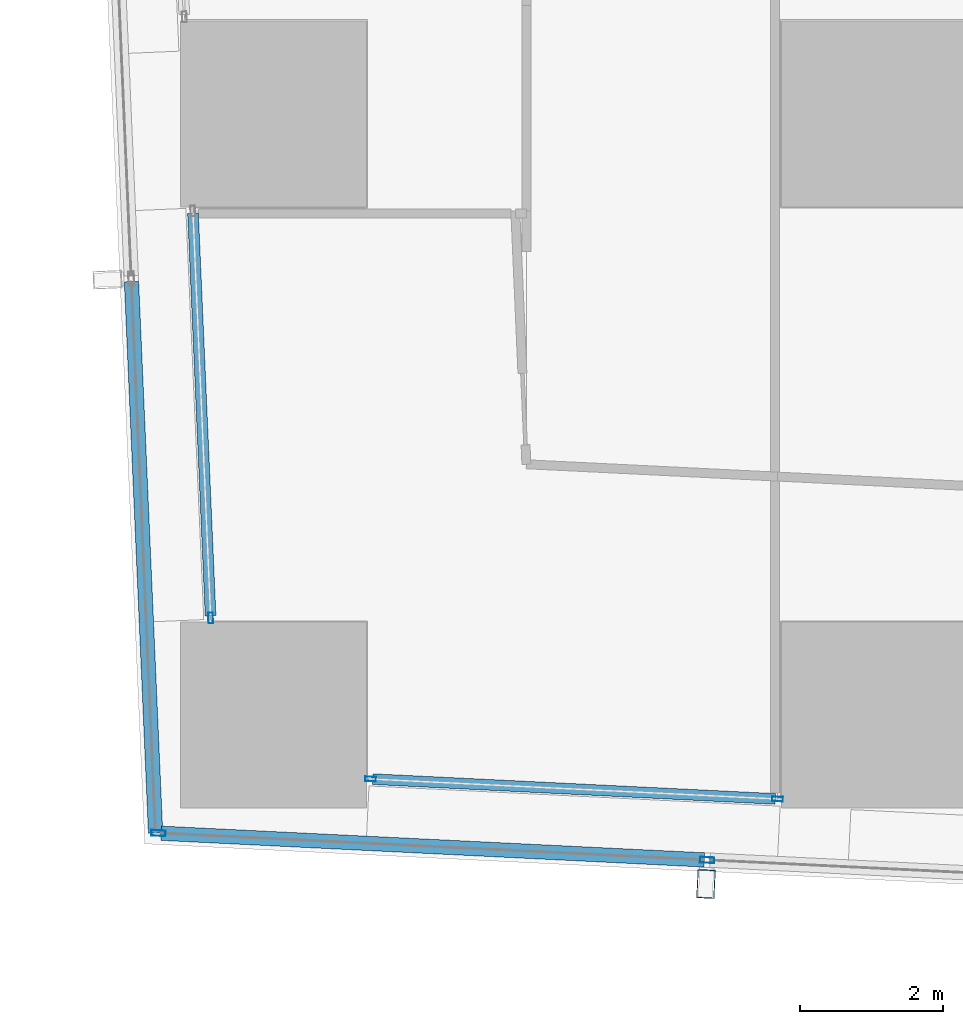
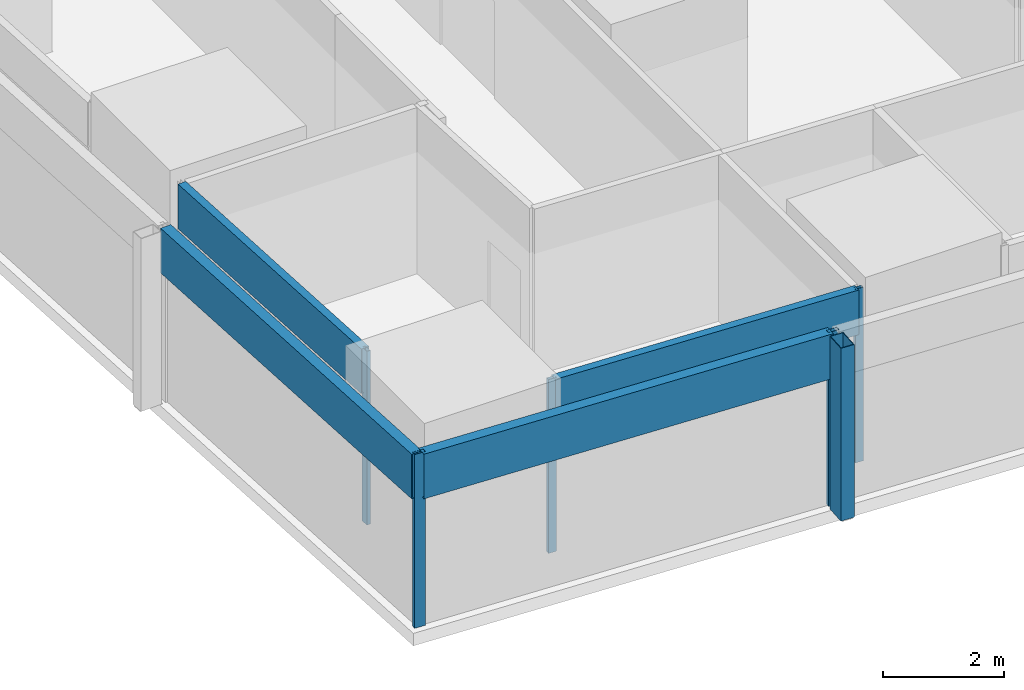
# One storey, part 2 of 46: 10 members, 4 elements without a shape of their own.
"""IFC4 building model written with IfcOpenShell, lengths in metres."""

from ifc_helpers import new_model, si_unit, direction, frame, origin, origin_2d, place, context, subcontext, project, spatial, hollow_rectangle, extrude, material, material_profile, profile_set, type_object, element, aggregate, save


model = new_model("IFC4")

# Units and contexts
model_context = context("Model", 3, precision=1e-05, world=origin(), true_north=direction((0.0, 1.0)))
body_context = subcontext(model_context, "Body", "Model", "MODEL_VIEW")
ifc_project = project(units=[si_unit("LENGTHUNIT", "METRE"), si_unit("AREAUNIT", "SQUARE_METRE"), si_unit("VOLUMEUNIT", "CUBIC_METRE"), si_unit("PLANEANGLEUNIT", "RADIAN"), si_unit("MASSUNIT", "GRAM", prefix="KILO")], contexts=[model_context])

# Site, building, storey
site_placement = place(None, origin())
site = spatial("IfcSite", under=ifc_project, at=site_placement, CompositionType="ELEMENT")
building_placement = place(site_placement, origin())
building = spatial("IfcBuilding", under=site, at=building_placement, Name="Rekha Terrace Tower", CompositionType="ELEMENT")
storey_placement = place(building_placement, frame((0.0, 0.0, 29.14990234375)))
storey = spatial("IfcBuildingStorey", under=building, at=storey_placement, Name="L06", CompositionType="ELEMENT", Elevation=29.14990234375)

# Curtain wall, member
ifc_material_1 = material(Name="Aluminium framing", Category="aluminium")
curtain_wall_type_1 = type_object("IfcCurtainWallType", Name="CW2 double skin outer glazing", PredefinedType="USERDEFINED", material=ifc_material_1)
curtain_wall_1_placement = place(storey_placement, origin())
curtain_wall_1 = element("IfcCurtainWall", 1, at=curtain_wall_1_placement, inside=storey, type_object=curtain_wall_type_1, Name="CW2 double skin outer glazing", ObjectType="DOUBLE SKIN OUTER GLAZING", PredefinedType="USERDEFINED")
ifc_material_2 = material(Name="Steel S355 with fluorocarbon finish", Category="steel")
ifc_material_profile_1 = material_profile(ifc_material_2, hollow_rectangle(XDim=0.25, YDim=0.39990234375, WallThickness=0.012451171875, at=origin_2d()), Name="RHS400x250x12.5")
ifc_profile_set_1 = profile_set([ifc_material_profile_1], Name="Steel S355 with fluorocarbon finish")
member_type_1 = type_object("IfcMemberType", Name="BL1 facade blade RHS 400 x 250", PredefinedType="USERDEFINED", material=ifc_profile_set_1)
member_1_placement = place(storey_placement, frame((14.443603515625, 6.03955078125, 0.02001953125), z_axis=(0.0, 0.0, 1.0), x_axis=(0.998796226835, -0.049051985279, 0.0)))
member_1 = element("IfcMember", 2, at=member_1_placement, type_object=member_type_1, Name="Facade blade", ObjectType="FACADE BLADE", PredefinedType="USERDEFINED", context=body_context, shape_type="SweptSolid", body=[
    extrude(hollow_rectangle(XDim=0.25, YDim=0.39990234375, WallThickness=0.012451171875, at=origin_2d()), origin(), (0.0, 0.0, 1.0), 3.47998046875),
])

# Curtain wall, members
curtain_wall_type_2 = type_object("IfcCurtainWallType", Name="CW1 double skin inner glazing", PredefinedType="USERDEFINED", material=ifc_material_1)
curtain_wall_2_placement = place(storey_placement, origin())
curtain_wall_2 = element("IfcCurtainWall", 3, at=curtain_wall_2_placement, inside=storey, type_object=curtain_wall_type_2, Name="CW1 double skin inner glazing", ObjectType="DOUBLE SKIN INNER GLAZING", PredefinedType="USERDEFINED")
ifc_material_3 = material(Name="Aluminium mullion section", Category="aluminium")
ifc_material_profile_2 = material_profile(ifc_material_3, hollow_rectangle(XDim=0.06494140625, YDim=0.14990234375, WallThickness=0.00390625, at=origin_2d()), Name="AL RHS 65x150")
ifc_profile_set_2 = profile_set([ifc_material_profile_2], Name="Aluminium mullion section")
member_type_2 = type_object("IfcMemberType", Name="CW1 mullion RHS 65 x 150", PredefinedType="MULLION", material=ifc_profile_set_2)
member_2_placement = place(storey_placement, frame((9.757080078125, 7.50634765625, 0.0), z_axis=(0.0, 0.0, 1.0), x_axis=(0.049051717711, 0.998796239976, 0.0)))
member_2 = element("IfcMember", 4, at=member_2_placement, type_object=member_type_2, Name="CW1 mullion 1", PredefinedType="MULLION", context=body_context, shape_type="SweptSolid", body=[
    extrude(hollow_rectangle(XDim=0.06494140625, YDim=0.14990234375, WallThickness=0.00390625, at=origin_2d()), origin(), (0.0, 0.0, 1.0), 3.5),
])
member_3_placement = place(storey_placement, frame((15.44287109375, 7.22705078125, 0.0), z_axis=(0.0, 0.0, 1.0), x_axis=(0.049051717711, 0.998796239976, 0.0)))
member_3 = element("IfcMember", 5, at=member_3_placement, type_object=member_type_2, Name="CW1 mullion 2", PredefinedType="MULLION", context=body_context, shape_type="SweptSolid", body=[
    extrude(hollow_rectangle(XDim=0.06494140625, YDim=0.14990234375, WallThickness=0.00390625, at=origin_2d()), origin(), (0.0, 0.0, 1.0), 3.5),
])

# Curtain wall, member
curtain_wall_3_placement = place(storey_placement, origin())
curtain_wall_3 = element("IfcCurtainWall", 6, at=curtain_wall_3_placement, inside=storey, type_object=curtain_wall_type_2, Name="CW1 double skin inner glazing", ObjectType="DOUBLE SKIN INNER GLAZING", PredefinedType="USERDEFINED")
member_4_placement = place(storey_placement, frame((7.52294921875, 9.756591796875, 0.0), z_axis=(0.0, 0.0, 1.0), x_axis=(0.999045462129, 0.043682543424, 0.0)))
member_4 = element("IfcMember", 7, at=member_4_placement, type_object=member_type_2, Name="CW1 mullion 2", PredefinedType="MULLION", context=body_context, shape_type="SweptSolid", body=[
    extrude(hollow_rectangle(XDim=0.06494140625, YDim=0.14990234375, WallThickness=0.00390625, at=origin_2d()), origin(), (0.0, 0.0, 1.0), 3.5),
])

# Member
ifc_material_4 = material(Name="Insulated aluminium spandrel box", Category="aluminium")
ifc_material_profile_3 = material_profile(ifc_material_4, hollow_rectangle(XDim=0.14990234375, YDim=0.89990234375, WallThickness=0.0029296875, at=origin_2d()), Name="AL SPANDREL BOX 150x900")
ifc_profile_set_3 = profile_set([ifc_material_profile_3], Name="Insulated aluminium spandrel box")
member_type_3 = type_object("IfcMemberType", Name="CW1 spandrel transom 150 x 900", PredefinedType="USERDEFINED", material=ifc_profile_set_3)
member_5_placement = place(storey_placement, frame((9.78955078125, 7.504638671875, 3.050048828125), z_axis=(0.998795557113, -0.049065620253, 0.0), x_axis=(0.049065620253, 0.998795557113, 0.0)))
member_5 = element("IfcMember", 8, at=member_5_placement, type_object=member_type_3, Name="CW1 spandrel transom 1", ObjectType="TRANSOM", PredefinedType="USERDEFINED", context=body_context, shape_type="SweptSolid", body=[
    extrude(hollow_rectangle(XDim=0.14990234375, YDim=0.89990234375, WallThickness=0.0029296875, at=origin_2d()), origin(), (0.0, 0.0, 1.0), 5.627685546875),
])

aggregate(curtain_wall_2, [member_2, member_3, member_5])

member_6_placement = place(storey_placement, frame((7.27587890625, 15.410888671875, 3.050048828125), z_axis=(0.043646212373, -0.999047050016, 0.0), x_axis=(0.999047050016, 0.043646212373, 0.0)))
member_6 = element("IfcMember", 9, at=member_6_placement, type_object=member_type_3, Name="CW1 spandrel transom 1", ObjectType="TRANSOM", PredefinedType="USERDEFINED", context=body_context, shape_type="SweptSolid", body=[
    extrude(hollow_rectangle(XDim=0.14990234375, YDim=0.89990234375, WallThickness=0.0029296875, at=origin_2d()), origin(), (0.0, 0.0, 1.0), 5.627197265625),
])

aggregate(curtain_wall_3, [member_4, member_6])

ifc_material_profile_4 = material_profile(ifc_material_3, hollow_rectangle(XDim=0.080078125, YDim=0.199951171875, WallThickness=0.00390625, at=origin_2d()), Name="AL RHS 80x200")
ifc_profile_set_4 = profile_set([ifc_material_profile_4], Name="Aluminium mullion section")
member_type_4 = type_object("IfcMemberType", Name="CW2 mullion RHS 80 x 200", PredefinedType="MULLION", material=ifc_profile_set_4)
member_7_placement = place(storey_placement, frame((6.79345703125, 6.750732421875, 0.0), z_axis=(0.0, 0.0, 1.0), x_axis=(0.049051717746, 0.998796239974, 0.0)))
member_7 = element("IfcMember", 10, at=member_7_placement, type_object=member_type_4, Name="CW2 mullion 1", PredefinedType="MULLION", context=body_context, shape_type="SweptSolid", body=[
    extrude(hollow_rectangle(XDim=0.080078125, YDim=0.199951171875, WallThickness=0.00390625, at=origin_2d()), origin(), (0.0, 0.0, 1.0), 3.5),
])

member_8_placement = place(storey_placement, frame((14.4599609375, 6.374267578125, 0.0), z_axis=(0.0, 0.0, 1.0), x_axis=(0.049051717746, 0.998796239974, 0.0)))
member_8 = element("IfcMember", 11, at=member_8_placement, type_object=member_type_4, Name="CW2 mullion 2", PredefinedType="MULLION", context=body_context, shape_type="SweptSolid", body=[
    extrude(hollow_rectangle(XDim=0.080078125, YDim=0.199951171875, WallThickness=0.00390625, at=origin_2d()), origin(), (0.0, 0.0, 1.0), 3.5),
])

ifc_material_profile_5 = material_profile(ifc_material_4, hollow_rectangle(XDim=0.199951171875, YDim=0.89990234375, WallThickness=0.0029296875, at=origin_2d()), Name="AL SPANDREL BOX 200x900")
ifc_profile_set_5 = profile_set([ifc_material_profile_5], Name="Insulated aluminium spandrel box")
member_type_5 = type_object("IfcMemberType", Name="CW2 spandrel transom 200 x 900", PredefinedType="USERDEFINED", material=ifc_profile_set_5)
member_9_placement = place(storey_placement, frame((6.83349609375, 6.748779296875, 3.050048828125), z_axis=(0.99879635036, -0.049049469996, 0.0), x_axis=(0.049049469996, 0.99879635036, 0.0)))
member_9 = element("IfcMember", 12, at=member_9_placement, type_object=member_type_5, Name="CW2 spandrel transom 1", ObjectType="TRANSOM", PredefinedType="USERDEFINED", context=body_context, shape_type="SweptSolid", body=[
    extrude(hollow_rectangle(XDim=0.199951171875, YDim=0.89990234375, WallThickness=0.0029296875, at=origin_2d()), origin(), (0.0, 0.0, 1.0), 7.595458984375),
])

aggregate(curtain_wall_1, [member_7, member_8, member_9, member_1])

# Curtain wall, member
curtain_wall_4_placement = place(storey_placement, origin())
curtain_wall_4 = element("IfcCurtainWall", 13, at=curtain_wall_4_placement, inside=storey, type_object=curtain_wall_type_1, Name="CW2 double skin outer glazing", ObjectType="DOUBLE SKIN OUTER GLAZING", PredefinedType="USERDEFINED")
member_10_placement = place(storey_placement, frame((6.41650390625, 14.45703125, 3.050048828125), z_axis=(0.043688638652, -0.999045195601, 0.0), x_axis=(0.999045195601, 0.043688638652, 0.0)))
member_10 = element("IfcMember", 14, at=member_10_placement, type_object=member_type_5, Name="CW2 spandrel transom 5", ObjectType="TRANSOM", PredefinedType="USERDEFINED", context=body_context, shape_type="SweptSolid", body=[
    extrude(hollow_rectangle(XDim=0.199951171875, YDim=0.89990234375, WallThickness=0.0029296875, at=origin_2d()), origin(), (0.0, 0.0, 1.0), 7.711669921875),
])
aggregate(curtain_wall_4, [member_10])

save(model, "model.ifc")
